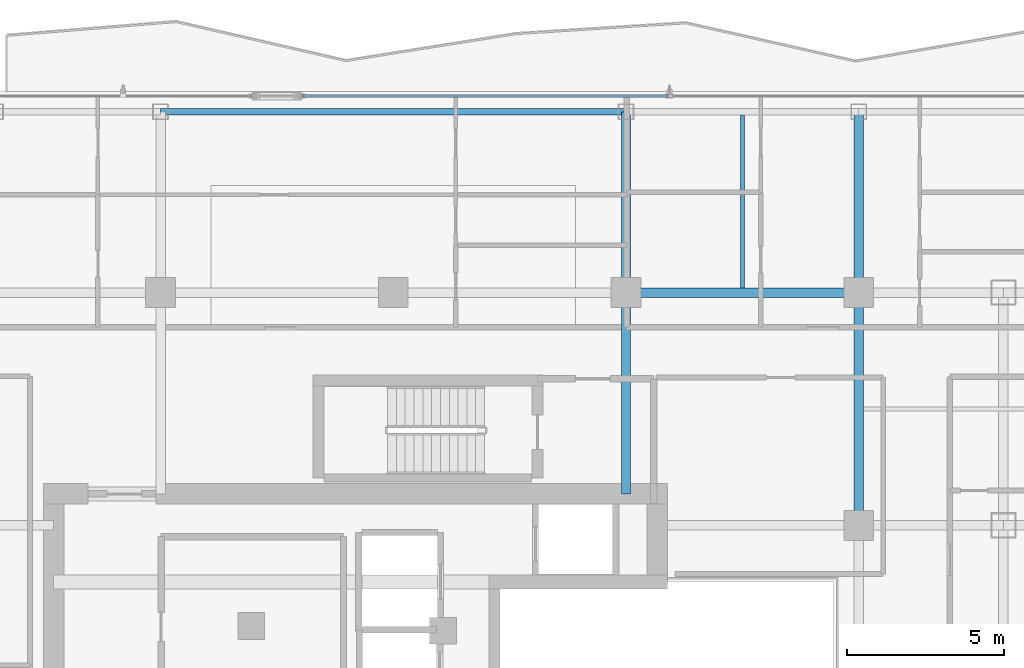
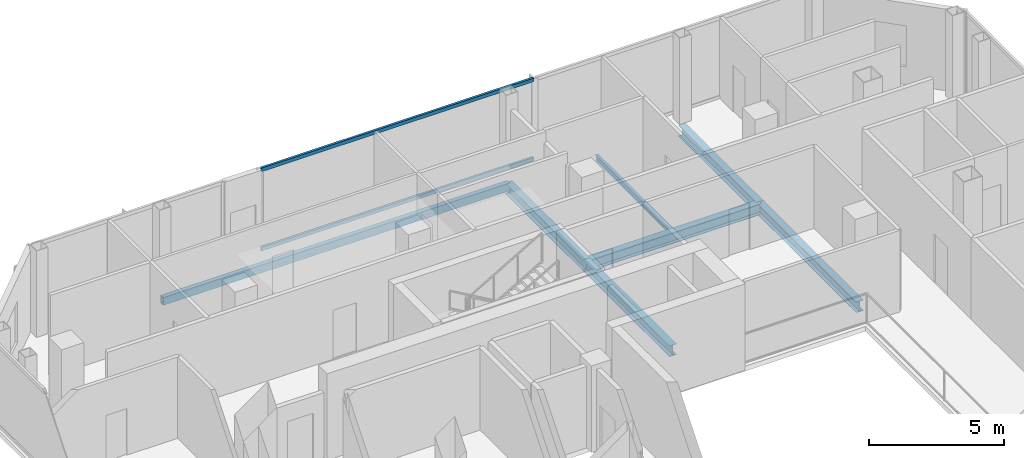
# One storey, part 13 of 26: 7 beams, 2 members, 1 element without a shape of its own.
"""IFC4 building model written with IfcOpenShell, lengths in metres."""

from ifc_helpers import new_model, si_unit, direction, frame, origin, origin_2d, place, context, subcontext, project, spatial, hollow_rectangle, i_section, extrude, material, layer, layer_set, material_profile, profile_set, type_object, element, aggregate, save


model = new_model("IFC4")

# Units and contexts
model_context = context("Model", 3, precision=1e-05, world=origin(), true_north=direction((0.0, 1.0)))
body_context = subcontext(model_context, "Body", "Model", "MODEL_VIEW")
ifc_project = project(units=[si_unit("LENGTHUNIT", "METRE"), si_unit("AREAUNIT", "SQUARE_METRE"), si_unit("VOLUMEUNIT", "CUBIC_METRE"), si_unit("PLANEANGLEUNIT", "RADIAN"), si_unit("MASSUNIT", "GRAM", prefix="KILO")], contexts=[model_context])

# Site, building, storey
site_placement = place(None, origin())
site = spatial("IfcSite", under=ifc_project, at=site_placement, CompositionType="ELEMENT")
building_placement = place(site_placement, origin())
building = spatial("IfcBuilding", under=site, at=building_placement, Name="Khorvyn Point Tower", CompositionType="ELEMENT")
storey_placement = place(building_placement, frame((0.0, 0.0, 262.5)))
storey = spatial("IfcBuildingStorey", under=building, at=storey_placement, Name="L64", CompositionType="ELEMENT", Elevation=262.5)

# Curtain wall, members
ifc_material_1 = material(Name="Anodised aluminium 6063-T6 and laminated Low-E glass", Category="aluminium")
ifc_layer = layer(ifc_material_1, 0.18994140625)
ifc_layer_set = layer_set([ifc_layer], Name="Stick-Built High-Wind Curtain Wall CW-SYS-04")
curtain_wall_type = type_object("IfcCurtainWallType", Name="Stick-Built High-Wind Curtain Wall CW-SYS-04", PredefinedType="NOTDEFINED", material=ifc_layer_set)
curtain_wall_placement = place(storey_placement, origin())
curtain_wall = element("IfcCurtainWall", 1, at=curtain_wall_placement, inside=storey, type_object=curtain_wall_type, Name="Curtain Wall", PredefinedType="NOTDEFINED")
ifc_material_2 = material(Name="Anodised aluminium 6063-T6", Category="aluminium")
ifc_material_profile_1 = material_profile(ifc_material_2, hollow_rectangle(XDim=0.10009765625, YDim=0.159912109375, WallThickness=0.00439453125, at=origin_2d()))
ifc_profile_set_1 = profile_set([ifc_material_profile_1], Name="Anodised aluminium 6063-T6 ALU-TRN-100x160")
member_type = type_object("IfcMemberType", Name="Anodised Aluminium 6063-T6 Transom ALU-TRN-100x160", PredefinedType="USERDEFINED", material=ifc_profile_set_1)
member_1_placement = place(storey_placement, frame((-2.885009765625, 21.050048828125, 0.050048828125), z_axis=(1.0, 0.0, 0.0), x_axis=(0.0, 1.0, 0.0)))
member_1 = element("IfcMember", 2, at=member_1_placement, type_object=member_type, Name="Transom", ObjectType="TRANSOM", PredefinedType="USERDEFINED", context=body_context, shape_type="SweptSolid", body=[
    extrude(hollow_rectangle(XDim=0.10009765625, YDim=0.159912109375, WallThickness=0.00439453125, at=origin_2d()), origin(), (0.0, 0.0, 1.0), 11.617431640625),
])
member_2_placement = place(storey_placement, frame((-2.885009765625, 21.050048828125, 3.6298828125), z_axis=(1.0, 0.0, 0.0), x_axis=(0.0, 1.0, 0.0)))
member_2 = element("IfcMember", 3, at=member_2_placement, type_object=member_type, Name="Transom", ObjectType="TRANSOM", PredefinedType="USERDEFINED", context=body_context, shape_type="SweptSolid", body=[
    extrude(hollow_rectangle(XDim=0.10009765625, YDim=0.159912109375, WallThickness=0.00439453125, at=origin_2d()), origin(), (0.0, 0.0, 1.0), 11.617431640625),
])
aggregate(curtain_wall, [member_1, member_2])

# Beams
ifc_material_3 = material(Name="Steel S355", Category="steel")
ifc_material_profile_2 = material_profile(ifc_material_3, i_section(OverallWidth=0.125, OverallDepth=0.25, WebThickness=0.006103515625, FlangeThickness=0.009033203125, at=origin_2d()))
ifc_profile_set_2 = profile_set([ifc_material_profile_2], Name="Steel S355 H250x125x6x9")
beam_type_1 = type_object("IfcBeamType", Name="Steel S355 Joist H250x125x6x9", PredefinedType="JOIST", material=ifc_profile_set_2)
beam_1_placement = place(storey_placement, frame((11.10009765625, 14.949951171875, -0.344970703125), z_axis=(0.0, 1.0, 0.0), x_axis=(-1.0, 0.0, 0.0)))
element("IfcBeam", 4, at=beam_1_placement, inside=storey, type_object=beam_type_1, Name="Beam", PredefinedType="JOIST", context=body_context, shape_type="SweptSolid", body=[
    extrude(i_section(OverallWidth=0.125, OverallDepth=0.25, WebThickness=0.006103515625, FlangeThickness=0.009033203125, at=origin_2d()), origin(), (0.0, 0.0, 1.0), 5.5),
])
ifc_material_profile_3 = material_profile(ifc_material_3, i_section(OverallWidth=0.300048828125, OverallDepth=0.488037109375, WebThickness=0.010986328125, FlangeThickness=0.01806640625, at=origin_2d()))
ifc_profile_set_3 = profile_set([ifc_material_profile_3], Name="Steel S355 H488x300x11x18")
beam_type_2 = type_object("IfcBeamType", Name="Steel S355 Spandrel H488x300x11x18", PredefinedType="SPANDREL", material=ifc_profile_set_3)
for number, where, z_axis, x_axis, name in (
    (5, (7.39990234375, 14.800048828125, -0.464111328125), (1.0, 0.0, 0.0), (0.0, 1.0, 0.0), "Beam"),
    (6, (14.800048828125, 7.39990234375, -0.464111328125), (0.0, 1.0, 0.0), (-1.0, 0.0, 0.0), "Beam"),
):
    element("IfcBeam", number, at=place(storey_placement, frame(where, z_axis=z_axis, x_axis=x_axis)), inside=storey, type_object=beam_type_2, Name=name, PredefinedType="SPANDREL", context=body_context, shape_type="SweptSolid", body=[
        extrude(i_section(OverallWidth=0.300048828125, OverallDepth=0.488037109375, WebThickness=0.010986328125, FlangeThickness=0.01806640625, at=origin_2d()), origin(), (0.0, 0.0, 1.0), 7.400146484375),
    ])
beam_2_placement = place(storey_placement, frame((14.800048828125, 14.800048828125, -0.464111328125), z_axis=(0.0, 1.0, 0.0), x_axis=(-1.0, 0.0, 0.0)))
element("IfcBeam", 7, at=beam_2_placement, inside=storey, type_object=beam_type_2, Name="Beam", PredefinedType="SPANDREL", context=body_context, shape_type="SweptSolid", body=[
    extrude(i_section(OverallWidth=0.300048828125, OverallDepth=0.488037109375, WebThickness=0.010986328125, FlangeThickness=0.01806640625, at=origin_2d()), origin(), (0.0, 0.0, 1.0), 5.75),
])
beam_3_placement = place(storey_placement, frame((7.39990234375, 8.39990234375, -0.464111328125), z_axis=(0.0, 1.0, 0.0), x_axis=(-1.0, 0.0, 0.0)))
element("IfcBeam", 8, at=beam_3_placement, inside=storey, type_object=beam_type_2, Name="Beam", PredefinedType="SPANDREL", context=body_context, shape_type="SweptSolid", body=[
    extrude(i_section(OverallWidth=0.300048828125, OverallDepth=0.488037109375, WebThickness=0.010986328125, FlangeThickness=0.01806640625, at=origin_2d()), origin(), (0.0, 0.0, 1.0), 6.400146484375),
])
beam_4_placement = place(storey_placement, frame((7.39990234375, 14.800048828125, -0.464111328125), z_axis=(0.0, 1.0, 0.0), x_axis=(-1.0, 0.0, 0.0)))
element("IfcBeam", 9, at=beam_4_placement, inside=storey, type_object=beam_type_2, Name="Beam", PredefinedType="SPANDREL", context=body_context, shape_type="SweptSolid", body=[
    extrude(i_section(OverallWidth=0.300048828125, OverallDepth=0.488037109375, WebThickness=0.010986328125, FlangeThickness=0.01806640625, at=origin_2d()), origin(), (0.0, 0.0, 1.0), 5.75),
])
ifc_material_profile_4 = material_profile(ifc_material_3, hollow_rectangle(XDim=0.199951171875, YDim=0.35009765625, WallThickness=0.013916015625, at=origin_2d()))
ifc_profile_set_4 = profile_set([ifc_material_profile_4], Name="Steel S355 RHS350x200x14")
beam_type_3 = type_object("IfcBeamType", Name="Steel S355 Spandrel RHS350x200x14", PredefinedType="SPANDREL", material=ifc_profile_set_4)
beam_5_placement = place(storey_placement, frame((-7.39990234375, 20.550048828125, -0.39501953125), z_axis=(1.0, 0.0, 0.0), x_axis=(0.0, 1.0, 0.0)))
element("IfcBeam", 10, at=beam_5_placement, inside=storey, type_object=beam_type_3, Name="Beam", PredefinedType="SPANDREL", context=body_context, shape_type="SweptSolid", body=[
    extrude(hollow_rectangle(XDim=0.199951171875, YDim=0.35009765625, WallThickness=0.013916015625, at=origin_2d()), origin(), (0.0, 0.0, 1.0), 14.7998046875),
])

save(model, "model.ifc")
